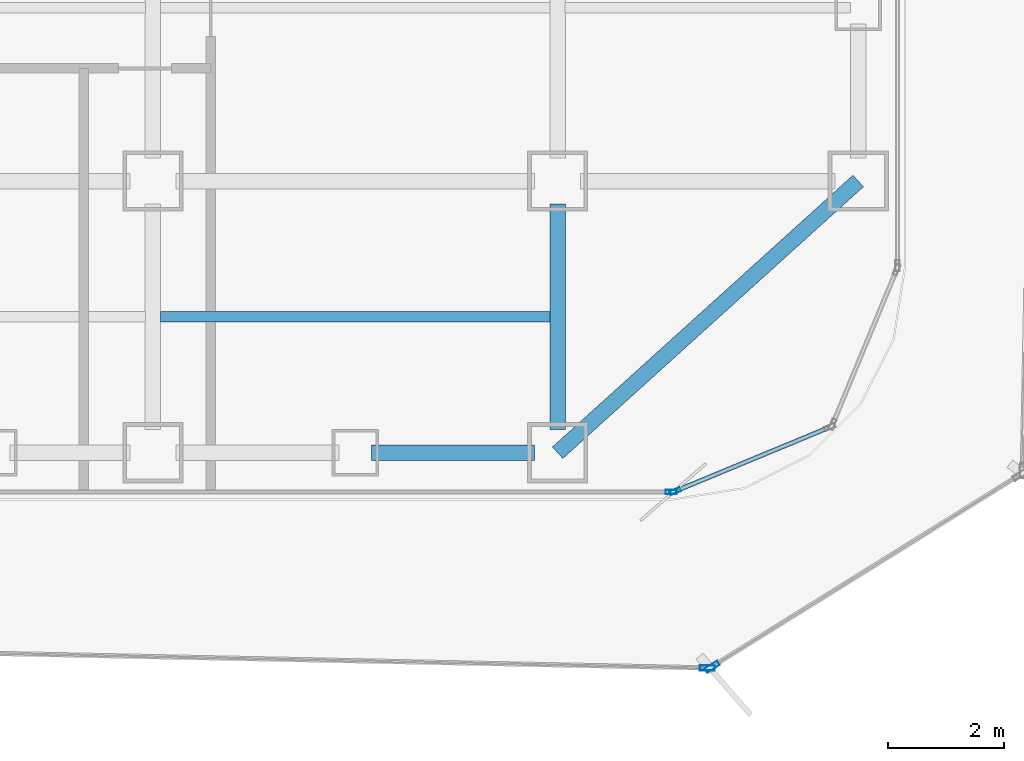
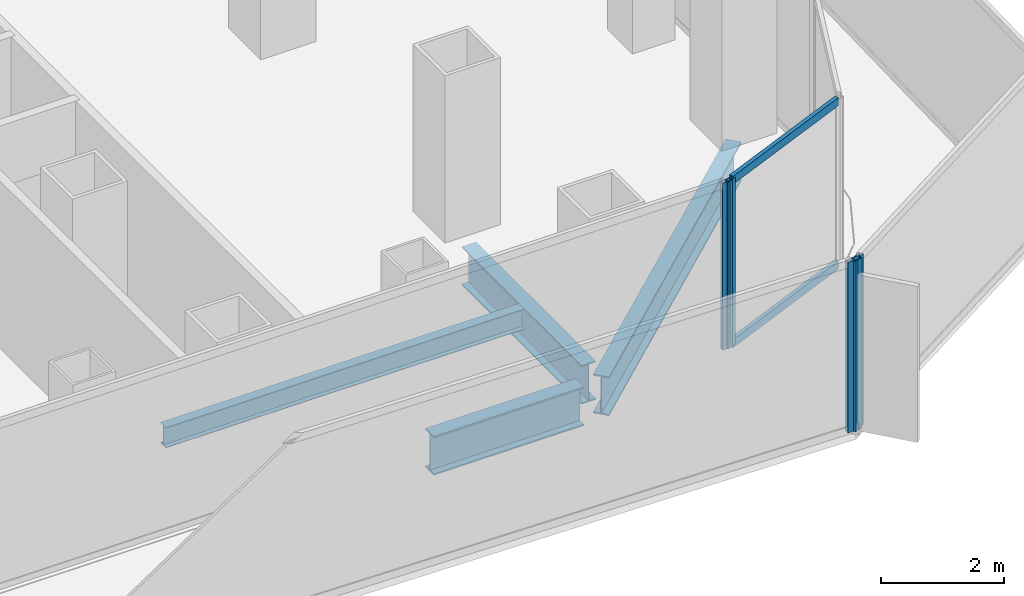
# One storey, part 6 of 21: 6 members, 4 beams, 4 elements without a shape of their own.
"""IFC4 building model written with IfcOpenShell, lengths in metres."""

import ifcopenshell
import ifcopenshell.guid

model = None  # the IFC model being written
_history = None  # IfcOwnerHistory: only IFC2X3 demands one
_inside = {}  # id of a spatial element -> (the spatial element, [elements in it])
_under = {}  # id of a project, library or spatial element -> (it, [spatial elements below it])
_declared = {}  # id of a project -> (the project, [libraries it declares])
_typed = {}  # id of a type object -> (the type object, [elements of that type])
_made_of = {}  # id of a material, layer set ... -> (it, [elements and type objects made of it])


def new_model(schema):
    """Start an empty IFC model of exactly this schema.

    Asked for "IFC4X3", IfcOpenShell would pick the latest addendum, in which some entities
    have other attributes; the version numbers below select the first issue.
    IFC2X3 requires an IfcOwnerHistory on every rooted entity: one is made here for all.
    """
    global model, _history
    if schema == "IFC4X3":
        model = ifcopenshell.file(schema_version=(4, 3, 0, 0))
    else:
        model = ifcopenshell.file(schema=schema)
    _inside.clear()
    _under.clear()
    _declared.clear()
    _typed.clear()
    _made_of.clear()
    _history = None
    if model.schema == "IFC2X3":
        org = make("IfcOrganization", Name="unknown")
        user = make(
            "IfcPersonAndOrganization",
            ThePerson=make("IfcPerson", FamilyName="unknown"),
            TheOrganization=org,
        )
        app = make(
            "IfcApplication",
            ApplicationDeveloper=org,
            Version="unknown",
            ApplicationFullName="unknown",
            ApplicationIdentifier="unknown",
        )
        _history = make(
            "IfcOwnerHistory",
            OwningUser=user,
            OwningApplication=app,
            ChangeAction="ADDED",
            CreationDate=0,
        )
    return model


def make(cls, **values):
    """One entity of the class cls with the attributes given. An attribute that is None is left unset."""
    return model.create_entity(
        cls, **{name: value for name, value in values.items() if value is not None}
    )


def rooted(cls, **values):
    """An entity with a GlobalId (a new one), such as an element, a storey or a relation."""
    return make(cls, GlobalId=ifcopenshell.guid.new(), OwnerHistory=_history, **values)


def si_unit(unit_type, name, prefix=None):
    """IfcSIUnit, for example si_unit("LENGTHUNIT", "METRE", prefix="MILLI")."""
    return make("IfcSIUnit", UnitType=unit_type, Prefix=prefix, Name=name)


def assignment(units):
    """IfcUnitAssignment: the units of a project."""
    return None if units is None else make("IfcUnitAssignment", Units=units)


def point(xyz):
    """IfcCartesianPoint."""
    return None if xyz is None else make("IfcCartesianPoint", Coordinates=xyz)


def direction(xyz):
    """IfcDirection."""
    return None if xyz is None else make("IfcDirection", DirectionRatios=xyz)


def frame(location, z_axis=None, x_axis=None):
    """IfcAxis2Placement3D, a coordinate frame: its origin and axes. An axis left out is left unset."""
    return make(
        "IfcAxis2Placement3D",
        Location=point(location),
        Axis=direction(z_axis),
        RefDirection=direction(x_axis),
    )


def frame_2d(location, x_axis=None):
    """IfcAxis2Placement2D, a coordinate frame in the plane: its origin and x axis."""
    return make(
        "IfcAxis2Placement2D", Location=point(location), RefDirection=direction(x_axis)
    )


def origin():
    """The frame at (0, 0, 0) with its axes left unset."""
    return frame((0.0, 0.0, 0.0))


def origin_2d():
    """The frame at (0, 0) in the plane with its x axis left unset."""
    return frame_2d((0.0, 0.0))


def place(relative_to, where):
    """IfcLocalPlacement: puts the frame where relative to a parent placement (None: the world)."""
    return make(
        "IfcLocalPlacement", PlacementRelTo=relative_to, RelativePlacement=where
    )


def context(
    kind, dimensions, precision=None, world=None, true_north=None, identifier=None
):
    """IfcGeometricRepresentationContext, for example the 3D "Model" context."""
    return make(
        "IfcGeometricRepresentationContext",
        ContextIdentifier=identifier,
        ContextType=kind,
        CoordinateSpaceDimension=dimensions,
        Precision=precision,
        WorldCoordinateSystem=world,
        TrueNorth=true_north,
    )


def subcontext(parent, identifier, kind, view, scale=None):
    """IfcGeometricRepresentationSubContext, for example "Body" below "Model"."""
    return make(
        "IfcGeometricRepresentationSubContext",
        ContextIdentifier=identifier,
        ContextType=kind,
        ParentContext=parent,
        TargetScale=scale,
        TargetView=view,
    )


def project(units=None, contexts=None):
    """IfcProject with its units and contexts."""
    return rooted(
        "IfcProject",
        Name="project",
        RepresentationContexts=contexts,
        UnitsInContext=assignment(units),
    )


def spatial(cls, under=None, at=None, **own):
    """A site, building, storey or space (cls), placed at a placement, below another one or the project."""
    s = rooted(cls, ObjectPlacement=at, **own)
    if under is not None:
        _under.setdefault(under.id(), (under, []))[1].append(s)
    return s


def profile(cls, at=None, kind="AREA", **sizes):
    """A parametric profile (cls). Its sizes go by their IFC names, for example OverallWidth=200.0."""
    return make(cls, ProfileType=kind, Position=at, **sizes)


def hollow_rectangle(**sizes):
    """IfcRectangleHollowProfileDef."""
    return profile("IfcRectangleHollowProfileDef", **sizes)


def i_section(**sizes):
    """IfcIShapeProfileDef."""
    return profile("IfcIShapeProfileDef", **sizes)


def extrude(swept, where, along, depth):
    """IfcExtrudedAreaSolid: the profile swept, set in the frame where, extruded along a direction by depth."""
    return make(
        "IfcExtrudedAreaSolid",
        SweptArea=swept,
        Position=where,
        ExtrudedDirection=direction(along),
        Depth=depth,
    )


def shape(context_of_items, identifier, shape_type, items):
    """IfcShapeRepresentation: the items that make up one representation, for example the "Body"."""
    return make(
        "IfcShapeRepresentation",
        ContextOfItems=context_of_items,
        RepresentationIdentifier=identifier,
        RepresentationType=shape_type,
        Items=items,
    )


def source(mapping_origin, context_of_items, identifier, shape_type, items):
    """IfcRepresentationMap: a shape defined once, which mapped items show again and again."""
    return make(
        "IfcRepresentationMap",
        MappingOrigin=mapping_origin,
        MappedRepresentation=shape(context_of_items, identifier, shape_type, items),
    )


def transform(
    local_origin,
    x_axis=None,
    y_axis=None,
    z_axis=None,
    scale=None,
    scale2=None,
    scale3=None,
    uniform=True,
):
    """IfcCartesianTransformationOperator3D, or its non-uniform kind. x_axis, y_axis, z_axis: its Axis1, 2, 3."""
    if uniform:
        return make(
            "IfcCartesianTransformationOperator3D",
            Axis1=direction(x_axis),
            Axis2=direction(y_axis),
            LocalOrigin=point(local_origin),
            Scale=scale,
            Axis3=direction(z_axis),
        )
    return make(
        "IfcCartesianTransformationOperator3DnonUniform",
        Axis1=direction(x_axis),
        Axis2=direction(y_axis),
        LocalOrigin=point(local_origin),
        Scale=scale,
        Axis3=direction(z_axis),
        Scale2=scale2,
        Scale3=scale3,
    )


def mapped(mapping_source, mapping_target):
    """IfcMappedItem: shows the shape of a source again, moved by a transform."""
    return make(
        "IfcMappedItem", MappingSource=mapping_source, MappingTarget=mapping_target
    )


def material(Name=None, Category=None):
    """IfcMaterial."""
    return make("IfcMaterial", Name=Name, Category=Category)


def layer(
    of_material, thickness, ventilated=None, Name=None, Category=None, Priority=None
):
    """IfcMaterialLayer: one layer of a wall or slab, of a material (None: an air gap)."""
    return make(
        "IfcMaterialLayer",
        Material=of_material,
        LayerThickness=thickness,
        IsVentilated=ventilated,
        Name=Name,
        Category=Category,
        Priority=Priority,
    )


def layer_set(layers, Name=None):
    """IfcMaterialLayerSet."""
    return make("IfcMaterialLayerSet", MaterialLayers=layers, LayerSetName=Name)


def material_profile(
    of_material, cross_section, Name=None, Category=None, Priority=None
):
    """IfcMaterialProfile: a cross section and its material."""
    return make(
        "IfcMaterialProfile",
        Name=Name,
        Material=of_material,
        Profile=cross_section,
        Priority=Priority,
        Category=Category,
    )


def profile_set(profiles, Name=None, composite=None):
    """IfcMaterialProfileSet."""
    return make(
        "IfcMaterialProfileSet",
        Name=Name,
        MaterialProfiles=profiles,
        CompositeProfile=composite,
    )


def made_of(thing, what):
    """Note that an element or type object is made of a material, layer set ...; save() writes the relation."""
    if what is not None:
        _made_of.setdefault(what.id(), (what, []))[1].append(thing)
    return thing


def type_object(cls, material=None, **own):
    """A type object (cls), such as IfcWallType, which elements share."""
    return made_of(rooted(cls, **own), material)


def element(
    cls,
    number,
    at=None,
    inside=None,
    cuts=None,
    type_object=None,
    material=None,
    context=None,
    identifier="Body",
    shape_type=None,
    held_by="IfcProductDefinitionShape",
    body=None,
    shapes=None,
    **own,
):
    """One element of the class cls, such as IfcWall. Its Tag is "e" and its number.

    at: its placement. inside: the storey or other place that contains it. cuts: it is an
    opening in that element (IfcRelVoidsElement). A single representation is given by context,
    identifier, shape_type and body (its items); several are given by shapes. held_by: the class
    of the entity that holds the representations. save() writes the other relations.
    """
    e = rooted(cls, Tag="e%d" % number, ObjectPlacement=at, **own)
    if body is not None:
        shapes = [shape(context, identifier, shape_type, body)]
    if shapes is not None:
        e.Representation = make(held_by, Representations=shapes)
    if inside is not None:
        _inside.setdefault(inside.id(), (inside, []))[1].append(e)
    if cuts is not None:
        rooted(
            "IfcRelVoidsElement", RelatingBuildingElement=cuts, RelatedOpeningElement=e
        )
    if type_object is not None:
        _typed.setdefault(type_object.id(), (type_object, []))[1].append(e)
    return made_of(e, material)


def aggregate(whole, parts):
    """IfcRelAggregates: a whole, such as a stair, and the parts it consists of."""
    return rooted("IfcRelAggregates", RelatingObject=whole, RelatedObjects=parts)


def save(model, path):
    """Write the relations noted so far, then the file.

    IfcRelAggregates (storeys below a building ...), IfcRelContainedInSpatialStructure (elements
    in a storey), IfcRelDefinesByType, IfcRelAssociatesMaterial and IfcRelDeclares: one each for
    every whole, place, type object, material and project.
    """
    for whole, parts in _under.values():
        aggregate(whole, parts)
    for where, things in _inside.values():
        rooted(
            "IfcRelContainedInSpatialStructure",
            RelatedElements=things,
            RelatingStructure=where,
        )
    for kind, things in _typed.values():
        rooted("IfcRelDefinesByType", RelatedObjects=things, RelatingType=kind)
    for what, things in _made_of.values():
        rooted("IfcRelAssociatesMaterial", RelatedObjects=things, RelatingMaterial=what)
    for by, libraries in _declared.values():
        rooted("IfcRelDeclares", RelatingContext=by, RelatedDefinitions=libraries)
    model.write(path)


model = new_model("IFC4")

# Units and contexts
model_context = context("Model", 3, precision=1e-05, world=origin(), true_north=direction((0.0, 1.0)))
body_context = subcontext(model_context, "Body", "Model", "MODEL_VIEW")
ifc_project = project(units=[si_unit("LENGTHUNIT", "METRE"), si_unit("AREAUNIT", "SQUARE_METRE"), si_unit("VOLUMEUNIT", "CUBIC_METRE"), si_unit("PLANEANGLEUNIT", "RADIAN"), si_unit("MASSUNIT", "GRAM", prefix="KILO")], contexts=[model_context])

# Site, building, storey
site_placement = place(None, origin())
site = spatial("IfcSite", under=ifc_project, at=site_placement, CompositionType="ELEMENT")
building_placement = place(site_placement, origin())
building = spatial("IfcBuilding", under=site, at=building_placement, Name="Kolveth Station Tower", CompositionType="ELEMENT")
storey_placement = place(building_placement, frame((0.0, 0.0, 62.10009765625)))
storey = spatial("IfcBuildingStorey", under=building, at=storey_placement, Name="L16", CompositionType="ELEMENT", Elevation=62.10009765625)

# Beams
ifc_material_1 = material(Name="Steel S355", Category="steel")
ifc_material_profile_1 = material_profile(ifc_material_1, i_section(OverallWidth=0.26904296875, OverallDepth=0.77490234375, WebThickness=0.01708984375, FlangeThickness=0.0283203125, at=origin_2d()), Name="W760x220")
ifc_profile_set_1 = profile_set([ifc_material_profile_1], Name="Steel S355")
beam_type_1 = type_object("IfcBeamType", Name="Beam_SP1", PredefinedType="SPANDREL", material=ifc_profile_set_1)
shared_shape_1 = source(origin(), body_context, "Body", "SweptSolid", [
    extrude(i_section(OverallWidth=0.26904296875, OverallDepth=0.77490234375, WebThickness=0.01708984375, FlangeThickness=0.0283203125, at=origin_2d()), origin(), (0.0, 0.0, 1.0), 7.00927734375),
])
beam_1_placement = place(storey_placement, frame((41.0, 0.800048828125, -0.66748046875), z_axis=(0.741874009795, 0.670539300557, 0.0), x_axis=(-0.670539300557, 0.741874009795, 0.0)))
element("IfcBeam", 1, at=beam_1_placement, inside=storey, type_object=beam_type_1, Name="L16 Corner Edge Girder BM-L16-CNR-SE", PredefinedType="SPANDREL", context=body_context, shape_type="MappedRepresentation", body=[
    mapped(shared_shape_1, transform((0.0, 0.0, 0.0), x_axis=(1.0, 0.0, 0.0), y_axis=(0.0, 1.0, 0.0), z_axis=(0.0, 0.0, 1.0), scale=1.0)),
])
shared_shape_2 = source(origin(), body_context, "Body", "SweptSolid", [
    extrude(i_section(OverallWidth=0.26904296875, OverallDepth=0.77490234375, WebThickness=0.01708984375, FlangeThickness=0.0283203125, at=origin_2d()), origin(), (0.0, 0.0, 1.0), 2.820068359375),
])
beam_2_placement = place(storey_placement, frame((37.780029296875, 0.800048828125, -0.66748046875), z_axis=(1.0, 0.0, 0.0), x_axis=(0.0, 1.0, 0.0)))
element("IfcBeam", 2, at=beam_2_placement, inside=storey, type_object=beam_type_1, Name="L16 Perimeter Spandrel BM-L16-PS-10", PredefinedType="SPANDREL", context=body_context, shape_type="MappedRepresentation", body=[
    mapped(shared_shape_2, transform((0.0, 0.0, 0.0), x_axis=(1.0, 0.0, 0.0), y_axis=(0.0, 1.0, 0.0), z_axis=(0.0, 0.0, 1.0), scale=1.0)),
])
ifc_material_profile_2 = material_profile(ifc_material_1, i_section(OverallWidth=0.26708984375, OverallDepth=0.76611328125, WebThickness=0.014892578125, FlangeThickness=0.023681640625, at=origin_2d()), Name="W760x185")
ifc_profile_set_2 = profile_set([ifc_material_profile_2], Name="Steel S355")
beam_type_2 = type_object("IfcBeamType", Name="Beam_B3", PredefinedType="BEAM", material=ifc_profile_set_2)
shared_shape_3 = source(origin(), body_context, "Body", "SweptSolid", [
    extrude(i_section(OverallWidth=0.26708984375, OverallDepth=0.76611328125, WebThickness=0.014892578125, FlangeThickness=0.023681640625, at=origin_2d()), origin(), (0.0, 0.0, 1.0), 3.900146484375),
])
beam_3_placement = place(storey_placement, frame((41.0, 1.199951171875, -0.6630859375), z_axis=(0.0, 1.0, 0.0), x_axis=(-1.0, 0.0, 0.0)))
element("IfcBeam", 3, at=beam_3_placement, inside=storey, type_object=beam_type_2, Name="L16 Primary Girder BM-L16-GX410-1", PredefinedType="BEAM", context=body_context, shape_type="MappedRepresentation", body=[
    mapped(shared_shape_3, transform((0.0, 0.0, 0.0), x_axis=(1.0, 0.0, 0.0), y_axis=(0.0, 1.0, 0.0), z_axis=(0.0, 0.0, 1.0), scale=1.0)),
])
ifc_material_profile_3 = material_profile(ifc_material_1, i_section(OverallWidth=0.177978515625, OverallDepth=0.406982421875, WebThickness=0.0078125, FlangeThickness=0.0126953125, at=origin_2d()), Name="W410x60")
ifc_profile_set_3 = profile_set([ifc_material_profile_3], Name="Steel S355")
beam_type_3 = type_object("IfcBeamType", Name="Beam_J1", PredefinedType="JOIST", material=ifc_profile_set_3)
shared_shape_4 = source(origin(), body_context, "Body", "SweptSolid", [
    extrude(i_section(OverallWidth=0.177978515625, OverallDepth=0.406982421875, WebThickness=0.0078125, FlangeThickness=0.0126953125, at=origin_2d()), origin(), (0.0, 0.0, 1.0), 6.73681640625),
])
beam_4_placement = place(storey_placement, frame((34.131591796875, 3.14990234375, -0.483642578125), z_axis=(1.0, 0.0, 0.0), x_axis=(0.0, 1.0, 0.0)))
element("IfcBeam", 4, at=beam_4_placement, inside=storey, type_object=beam_type_3, Name="L16 Secondary Joist JST-L16-6-1", PredefinedType="JOIST", context=body_context, shape_type="MappedRepresentation", body=[
    mapped(shared_shape_4, transform((0.0, 0.0, 0.0), x_axis=(1.0, 0.0, 0.0), y_axis=(0.0, 1.0, 0.0), z_axis=(0.0, 0.0, 1.0), scale=1.0)),
])

# Curtain wall, members
ifc_material_2 = material(Name="Aluminium 6063-T6 and low-E dark glass", Category="aluminium")
ifc_layer_1 = layer(ifc_material_2, 0.179931640625)
ifc_layer_set_1 = layer_set([ifc_layer_1], Name="Aluminium 6063-T6 and low-E dark glass")
curtain_wall_type_1 = type_object("IfcCurtainWallType", Name="CurtainWall_CW-Z1", PredefinedType="NOTDEFINED", material=ifc_layer_set_1)
curtain_wall_1_placement = place(storey_placement, origin())
curtain_wall_1 = element("IfcCurtainWall", 5, at=curtain_wall_1_placement, inside=storey, type_object=curtain_wall_type_1, Name="L16 Inner Thermal Curtain Wall 1", PredefinedType="NOTDEFINED")
ifc_material_3 = material(Name="Black anodized aluminium 6063-T6", Category="aluminium")
ifc_material_profile_4 = material_profile(ifc_material_3, hollow_rectangle(XDim=0.074951171875, YDim=0.159912109375, WallThickness=0.0048828125, at=origin_2d()), Name="ALU-75x160x5")
ifc_profile_set_4 = profile_set([ifc_material_profile_4], Name="Black anodized aluminium 6063-T6")
member_type_1 = type_object("IfcMemberType", Name="Transom_TR1", PredefinedType="USERDEFINED", material=ifc_profile_set_4)
shared_shape_5 = source(origin(), body_context, "Body", "SweptSolid", [
    extrude(hollow_rectangle(XDim=0.074951171875, YDim=0.159912109375, WallThickness=0.0048828125, at=origin_2d()), origin(), (0.0, 0.0, 1.0), 2.819580078125),
])
member_1_placement = place(storey_placement, frame((43.0693359375, 0.148681640625, 0.037353515625), z_axis=(0.923869084389, 0.382708655389, 0.0), x_axis=(-0.382708655389, 0.923869084389, 0.0)))
member_1 = element("IfcMember", 6, at=member_1_placement, type_object=member_type_1, Name="CW-Z1 transom 1.1", ObjectType="TRANSOM", PredefinedType="USERDEFINED", context=body_context, shape_type="MappedRepresentation", body=[
    mapped(shared_shape_5, transform((0.0, 0.0, 0.0), x_axis=(1.0, 0.0, 0.0), y_axis=(0.0, 1.0, 0.0), z_axis=(0.0, 0.0, 1.0), scale=1.0)),
])
member_2_placement = place(storey_placement, frame((43.0693359375, 0.148681640625, 3.282470703125), z_axis=(0.923869084389, 0.382708655389, 0.0), x_axis=(-0.382708655389, 0.923869084389, 0.0)))
member_2 = element("IfcMember", 7, at=member_2_placement, type_object=member_type_1, Name="CW-Z1 transom 1.2", ObjectType="TRANSOM", PredefinedType="USERDEFINED", context=body_context, shape_type="MappedRepresentation", body=[
    mapped(shared_shape_5, transform((0.0, 0.0, 0.0), x_axis=(1.0, 0.0, 0.0), y_axis=(0.0, 1.0, 0.0), z_axis=(0.0, 0.0, 1.0), scale=1.0)),
])

# Curtain wall, member
ifc_material_4 = material(Name="Black anodized aluminium 6063-T6 and dark solar glass", Category="aluminium")
ifc_layer_2 = layer(ifc_material_4, 0.159912109375)
ifc_layer_set_2 = layer_set([ifc_layer_2], Name="Black anodized aluminium 6063-T6 and dark solar glass")
curtain_wall_type_2 = type_object("IfcCurtainWallType", Name="OUTER SKIN CW-OS", PredefinedType="NOTDEFINED", material=ifc_layer_set_2)
curtain_wall_2_placement = place(storey_placement, origin())
curtain_wall_2 = element("IfcCurtainWall", 8, at=curtain_wall_2_placement, inside=storey, type_object=curtain_wall_type_2, Name="L16 Outer Ventilated Skin Curtain Wall 1", PredefinedType="NOTDEFINED")
ifc_material_profile_5 = material_profile(ifc_material_3, hollow_rectangle(XDim=0.090087890625, YDim=0.260009765625, WallThickness=0.0048828125, at=origin_2d()), Name="ALU-90x260x5")
ifc_profile_set_5 = profile_set([ifc_material_profile_5], Name="Black anodized aluminium 6063-T6")
member_type_2 = type_object("IfcMemberType", Name="FIN MULLION ML-OS", PredefinedType="MULLION", material=ifc_profile_set_5)
shared_shape_6 = source(origin(), body_context, "Body", "SweptSolid", [
    extrude(hollow_rectangle(XDim=0.090087890625, YDim=0.260009765625, WallThickness=0.0048828125, at=origin_2d()), origin(), (0.0, 0.0, 1.0), 3.389892578125),
])
member_3_placement = place(storey_placement, frame((43.673828125, -2.902587890625, 0.0), z_axis=(0.0, 0.0, 1.0), x_axis=(-0.528808637677, 0.848741082262, 0.0)))
member_3 = element("IfcMember", 9, at=member_3_placement, type_object=member_type_2, Name="CW-OS mullion 1", PredefinedType="MULLION", context=body_context, shape_type="MappedRepresentation", body=[
    mapped(shared_shape_6, transform((0.0, 0.0, 0.0), x_axis=(1.0, 0.0, 0.0), y_axis=(0.0, 1.0, 0.0), z_axis=(0.0, 0.0, 1.0), scale=1.0)),
])
aggregate(curtain_wall_2, [member_3])

curtain_wall_3_placement = place(storey_placement, origin())
curtain_wall_3 = element("IfcCurtainWall", 10, at=curtain_wall_3_placement, inside=storey, type_object=curtain_wall_type_2, Name="L16 Outer Ventilated Skin Curtain Wall 8", PredefinedType="NOTDEFINED")
member_4_placement = place(storey_placement, frame((43.590576171875, -2.92529296875, 0.0), z_axis=(0.0, 0.0, 1.0), x_axis=(0.020354186443, 0.999792832088, 0.0)))
member_4 = element("IfcMember", 11, at=member_4_placement, type_object=member_type_2, Name="CW-OS mullion 2", PredefinedType="MULLION", context=body_context, shape_type="MappedRepresentation", body=[
    mapped(shared_shape_6, transform((0.0, 0.0, 0.0), x_axis=(1.0, 0.0, 0.0), y_axis=(0.0, 1.0, 0.0), z_axis=(0.0, 0.0, 1.0), scale=1.0)),
])
aggregate(curtain_wall_3, [member_4])

# Member
ifc_material_profile_6 = material_profile(ifc_material_3, hollow_rectangle(XDim=0.074951171875, YDim=0.18994140625, WallThickness=0.0048828125, at=origin_2d()), Name="ALU-75x190x5")
ifc_profile_set_6 = profile_set([ifc_material_profile_6], Name="Black anodized aluminium 6063-T6")
member_type_3 = type_object("IfcMemberType", Name="Mullion_ML1", PredefinedType="MULLION", material=ifc_profile_set_6)
shared_shape_7 = source(origin(), body_context, "Body", "SweptSolid", [
    extrude(hollow_rectangle(XDim=0.074951171875, YDim=0.18994140625, WallThickness=0.0048828125, at=origin_2d()), origin(), (0.0, 0.0, 1.0), 3.31982421875),
])
member_5_placement = place(storey_placement, frame((43.03466796875, 0.13427734375, 0.0), z_axis=(0.0, 0.0, 1.0), x_axis=(-0.382672990201, 0.923883857728, 0.0)))
member_5 = element("IfcMember", 12, at=member_5_placement, type_object=member_type_3, Name="CW-Z1 mullion 1", PredefinedType="MULLION", context=body_context, shape_type="MappedRepresentation", body=[
    mapped(shared_shape_7, transform((0.0, 0.0, 0.0), x_axis=(1.0, 0.0, 0.0), y_axis=(0.0, 1.0, 0.0), z_axis=(0.0, 0.0, 1.0), scale=1.0)),
])

aggregate(curtain_wall_1, [member_5, member_1, member_2])

# Curtain wall, member
curtain_wall_4_placement = place(storey_placement, origin())
curtain_wall_4 = element("IfcCurtainWall", 13, at=curtain_wall_4_placement, inside=storey, type_object=curtain_wall_type_1, Name="L16 Inner Thermal Curtain Wall 12", PredefinedType="NOTDEFINED")
member_6_placement = place(storey_placement, frame((42.96240234375, 0.1201171875, 0.0), z_axis=(0.0, 0.0, 1.0), x_axis=(0.0, 1.0, 0.0)))
member_6 = element("IfcMember", 14, at=member_6_placement, type_object=member_type_3, Name="CW-Z1 mullion 3", PredefinedType="MULLION", context=body_context, shape_type="MappedRepresentation", body=[
    mapped(shared_shape_7, transform((0.0, 0.0, 0.0), x_axis=(1.0, 0.0, 0.0), y_axis=(0.0, 1.0, 0.0), z_axis=(0.0, 0.0, 1.0), scale=1.0)),
])
aggregate(curtain_wall_4, [member_6])

save(model, "model.ifc")
